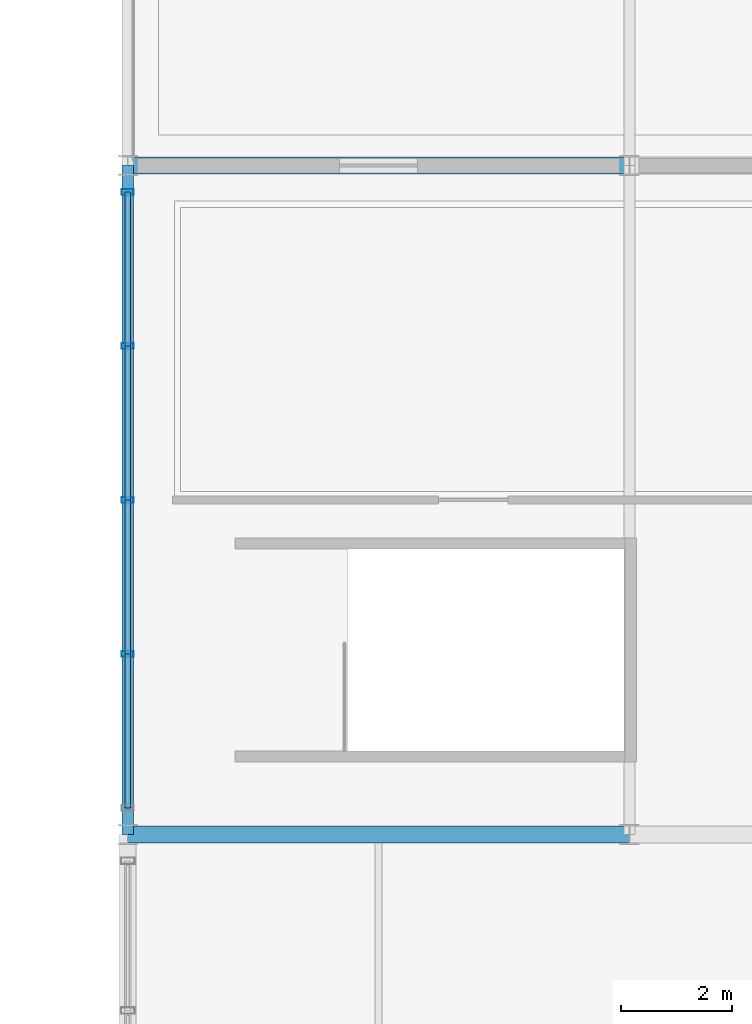
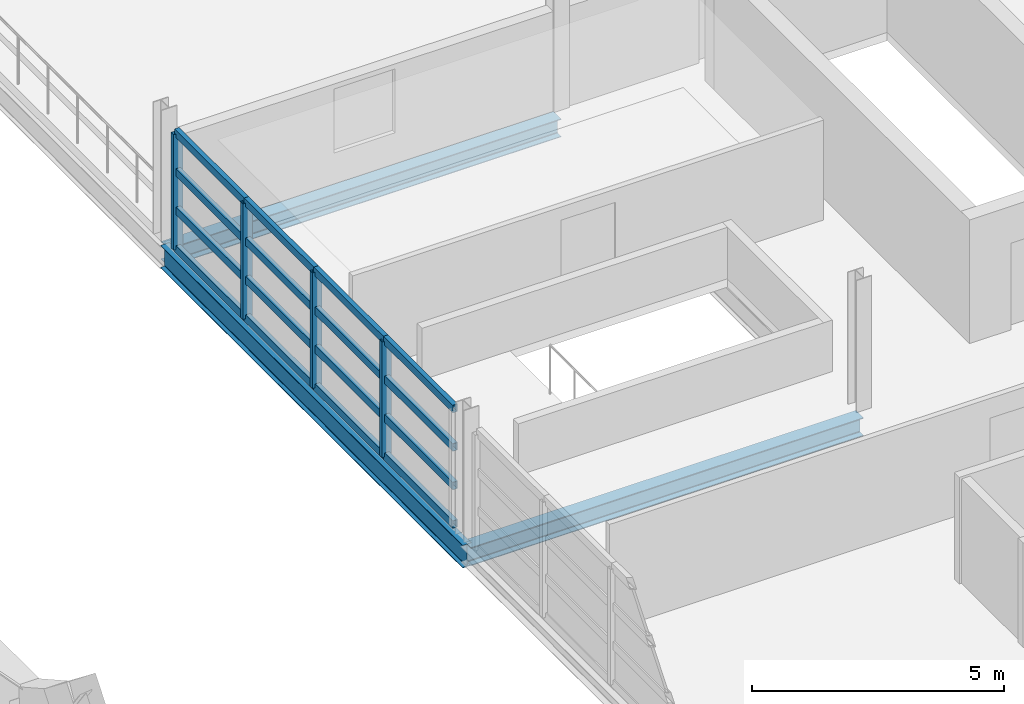
# One storey, part 34 of 86: 20 members, 3 beams, 1 element without a shape of its own.
"""IFC4 building model written with IfcOpenShell, lengths in metres."""

from ifc_helpers import new_model, si_unit, direction, frame, origin, origin_2d, place, context, subcontext, project, spatial, hollow_rectangle, i_section, extrude, material, material_profile, profile_set, type_object, element, aggregate, save


model = new_model("IFC4")

# Units and contexts
model_context = context("Model", 3, precision=1e-05, world=origin(), true_north=direction((0.0, 1.0)))
body_context = subcontext(model_context, "Body", "Model", "MODEL_VIEW")
ifc_project = project(units=[si_unit("LENGTHUNIT", "METRE"), si_unit("AREAUNIT", "SQUARE_METRE"), si_unit("VOLUMEUNIT", "CUBIC_METRE"), si_unit("PLANEANGLEUNIT", "RADIAN"), si_unit("MASSUNIT", "GRAM", prefix="KILO")], contexts=[model_context])

# Site, building, storey
site_placement = place(None, origin())
site = spatial("IfcSite", under=ifc_project, at=site_placement, CompositionType="ELEMENT")
building_placement = place(site_placement, origin())
building = spatial("IfcBuilding", under=site, at=building_placement, Name="Chuanluo Vaults Station", CompositionType="ELEMENT")
storey_placement = place(building_placement, frame((0.0, 0.0, 14.39990234375)))
storey = spatial("IfcBuildingStorey", under=building, at=storey_placement, Name="L03", CompositionType="ELEMENT", Elevation=14.39990234375)

# Beams
ifc_material_1 = material(Name="Steel Q355C", Category="steel")
ifc_material_profile_1 = material_profile(ifc_material_1, i_section(OverallWidth=0.300048828125, OverallDepth=0.43994140625, WebThickness=0.010986328125, FlangeThickness=0.01806640625, FilletRadius=0.02001953125, at=origin_2d()))
ifc_profile_set_1 = profile_set([ifc_material_profile_1], Name="Steel Q355C")
beam_type_1 = type_object("IfcBeamType", Name="BM-GRD-450", PredefinedType="USERDEFINED", material=ifc_profile_set_1)
for number, where, z_axis, x_axis, name in (
    (1, (136.0, 18.0, -0.419921875), (1.0, 0.0, 0.0), (0.0, 1.0, 0.0), "Floor girder BM:GX:L03:0719"),
    (2, (136.0, 30.0, -0.449951171875), (1.0, 0.0, 0.0), (0.0, 1.0, 0.0), "Floor girder BM:GX:L03:0724"),
):
    element("IfcBeam", number, at=place(storey_placement, frame(where, z_axis=z_axis, x_axis=x_axis)), inside=storey, type_object=beam_type_1, Name=name, ObjectType="GIRDER", PredefinedType="USERDEFINED", context=body_context, shape_type="SweptSolid", body=[
        extrude(i_section(OverallWidth=0.300048828125, OverallDepth=0.43994140625, WebThickness=0.010986328125, FlangeThickness=0.01806640625, FilletRadius=0.02001953125, at=origin_2d()), origin(), (0.0, 0.0, 1.0), 9.0),
    ])
ifc_material_2 = material(Name="Steel Q355C", Category="steel")
ifc_material_profile_2 = material_profile(ifc_material_2, i_section(OverallWidth=0.199951171875, OverallDepth=0.550048828125, WebThickness=0.010009765625, FlangeThickness=0.01611328125, FilletRadius=0.01806640625, at=origin_2d()))
ifc_profile_set_2 = profile_set([ifc_material_profile_2], Name="Steel Q355C")
beam_type_2 = type_object("IfcBeamType", Name="BM-GRD-550", PredefinedType="USERDEFINED", material=ifc_profile_set_2)
beam_placement = place(storey_placement, frame((136.0, 18.0, -0.474853515625), z_axis=(0.0, 1.0, 0.0), x_axis=(-1.0, 0.0, 0.0)))
element("IfcBeam", 3, at=beam_placement, inside=storey, type_object=beam_type_2, Name="Floor girder BM:GY:L03:0782", ObjectType="GIRDER", PredefinedType="USERDEFINED", context=body_context, shape_type="SweptSolid", body=[
    extrude(i_section(OverallWidth=0.199951171875, OverallDepth=0.550048828125, WebThickness=0.010009765625, FlangeThickness=0.01611328125, FilletRadius=0.01806640625, at=origin_2d()), origin(), (0.0, 0.0, 1.0), 12.0),
])

# Curtain wall, members
ifc_material_3 = material(Name="Anodised aluminium 6063-T6", Category="aluminium")
curtain_wall_type = type_object("IfcCurtainWallType", Name="CW-SYS-04", PredefinedType="NOTDEFINED", material=ifc_material_3)
curtain_wall_placement = place(storey_placement, origin())
curtain_wall = element("IfcCurtainWall", 4, at=curtain_wall_placement, inside=storey, type_object=curtain_wall_type, Name="Retail pavilion L03 facade CW", PredefinedType="NOTDEFINED")
ifc_material_4 = material(Name="Anodised aluminium 6063-T6", Category="aluminium")
ifc_material_profile_3 = material_profile(ifc_material_4, hollow_rectangle(XDim=0.10498046875, YDim=0.219970703125, WallThickness=0.006103515625, at=origin_2d()))
ifc_profile_set_3 = profile_set([ifc_material_profile_3], Name="Anodised aluminium 6063-T6")
member_type_1 = type_object("IfcMemberType", Name="CWM-140", PredefinedType="MULLION", material=ifc_profile_set_3)
member_1_placement = place(storey_placement, frame((136.0, 21.237548828125, 0.0), z_axis=(0.0, 0.0, 1.0), x_axis=(0.0, 1.0, 0.0)))
member_1 = element("IfcMember", 5, at=member_1_placement, type_object=member_type_1, Name="Retail pavilion L03 facade CW mullion 2", PredefinedType="MULLION", context=body_context, shape_type="SweptSolid", body=[
    extrude(hollow_rectangle(XDim=0.10498046875, YDim=0.219970703125, WallThickness=0.006103515625, at=origin_2d()), origin(), (0.0, 0.0, 1.0), 2.800048828125),
])
member_2_placement = place(storey_placement, frame((136.0, 24.0, 0.0), z_axis=(0.0, 0.0, 1.0), x_axis=(0.0, 1.0, 0.0)))
member_2 = element("IfcMember", 6, at=member_2_placement, type_object=member_type_1, Name="Retail pavilion L03 facade CW mullion 3", PredefinedType="MULLION", context=body_context, shape_type="SweptSolid", body=[
    extrude(hollow_rectangle(XDim=0.10498046875, YDim=0.219970703125, WallThickness=0.006103515625, at=origin_2d()), origin(), (0.0, 0.0, 1.0), 2.800048828125),
])
member_3_placement = place(storey_placement, frame((136.0, 26.762451171875, 0.0), z_axis=(0.0, 0.0, 1.0), x_axis=(0.0, 1.0, 0.0)))
member_3 = element("IfcMember", 7, at=member_3_placement, type_object=member_type_1, Name="Retail pavilion L03 facade CW mullion 4", PredefinedType="MULLION", context=body_context, shape_type="SweptSolid", body=[
    extrude(hollow_rectangle(XDim=0.10498046875, YDim=0.219970703125, WallThickness=0.006103515625, at=origin_2d()), origin(), (0.0, 0.0, 1.0), 2.800048828125),
])
member_4_placement = place(storey_placement, frame((136.0, 29.52490234375, 0.0), z_axis=(0.0, 0.0, 1.0), x_axis=(0.0, 1.0, 0.0)))
member_4 = element("IfcMember", 8, at=member_4_placement, type_object=member_type_1, Name="Retail pavilion L03 facade CW mullion 5", PredefinedType="MULLION", context=body_context, shape_type="SweptSolid", body=[
    extrude(hollow_rectangle(XDim=0.10498046875, YDim=0.219970703125, WallThickness=0.006103515625, at=origin_2d()), origin(), (0.0, 0.0, 1.0), 2.800048828125),
])
ifc_material_5 = material(Name="Anodised aluminium 6063-T6", Category="aluminium")
ifc_material_profile_4 = material_profile(ifc_material_5, hollow_rectangle(XDim=0.10498046875, YDim=0.18505859375, WallThickness=0.0048828125, at=origin_2d()))
ifc_profile_set_4 = profile_set([ifc_material_profile_4], Name="Anodised aluminium 6063-T6")
member_type_2 = type_object("IfcMemberType", Name="CWT-110", PredefinedType="USERDEFINED", material=ifc_profile_set_4)
member_5_placement = place(storey_placement, frame((136.0, 18.47509765625, 0.0), z_axis=(0.0, 1.0, 0.0), x_axis=(-1.0, 0.0, 0.0)))
member_5 = element("IfcMember", 9, at=member_5_placement, type_object=member_type_2, Name="Retail pavilion L03 facade CW transom 1.1", ObjectType="TRANSOM", PredefinedType="USERDEFINED", context=body_context, shape_type="SweptSolid", body=[
    extrude(hollow_rectangle(XDim=0.10498046875, YDim=0.18505859375, WallThickness=0.0048828125, at=origin_2d()), origin(), (0.0, 0.0, 1.0), 2.762451171875),
])
member_6_placement = place(storey_placement, frame((136.0, 18.47509765625, 0.933349609375), z_axis=(0.0, 1.0, 0.0), x_axis=(-1.0, 0.0, 0.0)))
member_6 = element("IfcMember", 10, at=member_6_placement, type_object=member_type_2, Name="Retail pavilion L03 facade CW transom 1.2", ObjectType="TRANSOM", PredefinedType="USERDEFINED", context=body_context, shape_type="SweptSolid", body=[
    extrude(hollow_rectangle(XDim=0.10498046875, YDim=0.18505859375, WallThickness=0.0048828125, at=origin_2d()), origin(), (0.0, 0.0, 1.0), 2.762451171875),
])
member_7_placement = place(storey_placement, frame((136.0, 18.47509765625, 1.86669921875), z_axis=(0.0, 1.0, 0.0), x_axis=(-1.0, 0.0, 0.0)))
member_7 = element("IfcMember", 11, at=member_7_placement, type_object=member_type_2, Name="Retail pavilion L03 facade CW transom 1.3", ObjectType="TRANSOM", PredefinedType="USERDEFINED", context=body_context, shape_type="SweptSolid", body=[
    extrude(hollow_rectangle(XDim=0.10498046875, YDim=0.18505859375, WallThickness=0.0048828125, at=origin_2d()), origin(), (0.0, 0.0, 1.0), 2.762451171875),
])
member_8_placement = place(storey_placement, frame((136.0, 18.47509765625, 2.800048828125), z_axis=(0.0, 1.0, 0.0), x_axis=(-1.0, 0.0, 0.0)))
member_8 = element("IfcMember", 12, at=member_8_placement, type_object=member_type_2, Name="Retail pavilion L03 facade CW transom 1.4", ObjectType="TRANSOM", PredefinedType="USERDEFINED", context=body_context, shape_type="SweptSolid", body=[
    extrude(hollow_rectangle(XDim=0.10498046875, YDim=0.18505859375, WallThickness=0.0048828125, at=origin_2d()), origin(), (0.0, 0.0, 1.0), 2.762451171875),
])
member_9_placement = place(storey_placement, frame((136.0, 21.237548828125, 0.0), z_axis=(0.0, 1.0, 0.0), x_axis=(-1.0, 0.0, 0.0)))
member_9 = element("IfcMember", 13, at=member_9_placement, type_object=member_type_2, Name="Retail pavilion L03 facade CW transom 2.1", ObjectType="TRANSOM", PredefinedType="USERDEFINED", context=body_context, shape_type="SweptSolid", body=[
    extrude(hollow_rectangle(XDim=0.10498046875, YDim=0.18505859375, WallThickness=0.0048828125, at=origin_2d()), origin(), (0.0, 0.0, 1.0), 2.762451171875),
])
member_10_placement = place(storey_placement, frame((136.0, 21.237548828125, 0.933349609375), z_axis=(0.0, 1.0, 0.0), x_axis=(-1.0, 0.0, 0.0)))
member_10 = element("IfcMember", 14, at=member_10_placement, type_object=member_type_2, Name="Retail pavilion L03 facade CW transom 2.2", ObjectType="TRANSOM", PredefinedType="USERDEFINED", context=body_context, shape_type="SweptSolid", body=[
    extrude(hollow_rectangle(XDim=0.10498046875, YDim=0.18505859375, WallThickness=0.0048828125, at=origin_2d()), origin(), (0.0, 0.0, 1.0), 2.762451171875),
])
member_11_placement = place(storey_placement, frame((136.0, 21.237548828125, 1.86669921875), z_axis=(0.0, 1.0, 0.0), x_axis=(-1.0, 0.0, 0.0)))
member_11 = element("IfcMember", 15, at=member_11_placement, type_object=member_type_2, Name="Retail pavilion L03 facade CW transom 2.3", ObjectType="TRANSOM", PredefinedType="USERDEFINED", context=body_context, shape_type="SweptSolid", body=[
    extrude(hollow_rectangle(XDim=0.10498046875, YDim=0.18505859375, WallThickness=0.0048828125, at=origin_2d()), origin(), (0.0, 0.0, 1.0), 2.762451171875),
])
member_12_placement = place(storey_placement, frame((136.0, 21.237548828125, 2.800048828125), z_axis=(0.0, 1.0, 0.0), x_axis=(-1.0, 0.0, 0.0)))
member_12 = element("IfcMember", 16, at=member_12_placement, type_object=member_type_2, Name="Retail pavilion L03 facade CW transom 2.4", ObjectType="TRANSOM", PredefinedType="USERDEFINED", context=body_context, shape_type="SweptSolid", body=[
    extrude(hollow_rectangle(XDim=0.10498046875, YDim=0.18505859375, WallThickness=0.0048828125, at=origin_2d()), origin(), (0.0, 0.0, 1.0), 2.762451171875),
])
member_13_placement = place(storey_placement, frame((136.0, 24.0, 0.0), z_axis=(0.0, 1.0, 0.0), x_axis=(-1.0, 0.0, 0.0)))
member_13 = element("IfcMember", 17, at=member_13_placement, type_object=member_type_2, Name="Retail pavilion L03 facade CW transom 3.1", ObjectType="TRANSOM", PredefinedType="USERDEFINED", context=body_context, shape_type="SweptSolid", body=[
    extrude(hollow_rectangle(XDim=0.10498046875, YDim=0.18505859375, WallThickness=0.0048828125, at=origin_2d()), origin(), (0.0, 0.0, 1.0), 2.762451171875),
])
member_14_placement = place(storey_placement, frame((136.0, 24.0, 0.933349609375), z_axis=(0.0, 1.0, 0.0), x_axis=(-1.0, 0.0, 0.0)))
member_14 = element("IfcMember", 18, at=member_14_placement, type_object=member_type_2, Name="Retail pavilion L03 facade CW transom 3.2", ObjectType="TRANSOM", PredefinedType="USERDEFINED", context=body_context, shape_type="SweptSolid", body=[
    extrude(hollow_rectangle(XDim=0.10498046875, YDim=0.18505859375, WallThickness=0.0048828125, at=origin_2d()), origin(), (0.0, 0.0, 1.0), 2.762451171875),
])
member_15_placement = place(storey_placement, frame((136.0, 24.0, 1.86669921875), z_axis=(0.0, 1.0, 0.0), x_axis=(-1.0, 0.0, 0.0)))
member_15 = element("IfcMember", 19, at=member_15_placement, type_object=member_type_2, Name="Retail pavilion L03 facade CW transom 3.3", ObjectType="TRANSOM", PredefinedType="USERDEFINED", context=body_context, shape_type="SweptSolid", body=[
    extrude(hollow_rectangle(XDim=0.10498046875, YDim=0.18505859375, WallThickness=0.0048828125, at=origin_2d()), origin(), (0.0, 0.0, 1.0), 2.762451171875),
])
member_16_placement = place(storey_placement, frame((136.0, 24.0, 2.800048828125), z_axis=(0.0, 1.0, 0.0), x_axis=(-1.0, 0.0, 0.0)))
member_16 = element("IfcMember", 20, at=member_16_placement, type_object=member_type_2, Name="Retail pavilion L03 facade CW transom 3.4", ObjectType="TRANSOM", PredefinedType="USERDEFINED", context=body_context, shape_type="SweptSolid", body=[
    extrude(hollow_rectangle(XDim=0.10498046875, YDim=0.18505859375, WallThickness=0.0048828125, at=origin_2d()), origin(), (0.0, 0.0, 1.0), 2.762451171875),
])
member_17_placement = place(storey_placement, frame((136.0, 26.762451171875, 0.0), z_axis=(0.0, 1.0, 0.0), x_axis=(-1.0, 0.0, 0.0)))
member_17 = element("IfcMember", 21, at=member_17_placement, type_object=member_type_2, Name="Retail pavilion L03 facade CW transom 4.1", ObjectType="TRANSOM", PredefinedType="USERDEFINED", context=body_context, shape_type="SweptSolid", body=[
    extrude(hollow_rectangle(XDim=0.10498046875, YDim=0.18505859375, WallThickness=0.0048828125, at=origin_2d()), origin(), (0.0, 0.0, 1.0), 2.762451171875),
])
member_18_placement = place(storey_placement, frame((136.0, 26.762451171875, 0.933349609375), z_axis=(0.0, 1.0, 0.0), x_axis=(-1.0, 0.0, 0.0)))
member_18 = element("IfcMember", 22, at=member_18_placement, type_object=member_type_2, Name="Retail pavilion L03 facade CW transom 4.2", ObjectType="TRANSOM", PredefinedType="USERDEFINED", context=body_context, shape_type="SweptSolid", body=[
    extrude(hollow_rectangle(XDim=0.10498046875, YDim=0.18505859375, WallThickness=0.0048828125, at=origin_2d()), origin(), (0.0, 0.0, 1.0), 2.762451171875),
])
member_19_placement = place(storey_placement, frame((136.0, 26.762451171875, 1.86669921875), z_axis=(0.0, 1.0, 0.0), x_axis=(-1.0, 0.0, 0.0)))
member_19 = element("IfcMember", 23, at=member_19_placement, type_object=member_type_2, Name="Retail pavilion L03 facade CW transom 4.3", ObjectType="TRANSOM", PredefinedType="USERDEFINED", context=body_context, shape_type="SweptSolid", body=[
    extrude(hollow_rectangle(XDim=0.10498046875, YDim=0.18505859375, WallThickness=0.0048828125, at=origin_2d()), origin(), (0.0, 0.0, 1.0), 2.762451171875),
])
member_20_placement = place(storey_placement, frame((136.0, 26.762451171875, 2.800048828125), z_axis=(0.0, 1.0, 0.0), x_axis=(-1.0, 0.0, 0.0)))
member_20 = element("IfcMember", 24, at=member_20_placement, type_object=member_type_2, Name="Retail pavilion L03 facade CW transom 4.4", ObjectType="TRANSOM", PredefinedType="USERDEFINED", context=body_context, shape_type="SweptSolid", body=[
    extrude(hollow_rectangle(XDim=0.10498046875, YDim=0.18505859375, WallThickness=0.0048828125, at=origin_2d()), origin(), (0.0, 0.0, 1.0), 2.762451171875),
])
aggregate(curtain_wall, [member_1, member_2, member_3, member_4, member_5, member_6, member_7, member_8, member_9, member_10, member_11, member_12, member_13, member_14, member_15, member_16, member_17, member_18, member_19, member_20])

save(model, "model.ifc")
